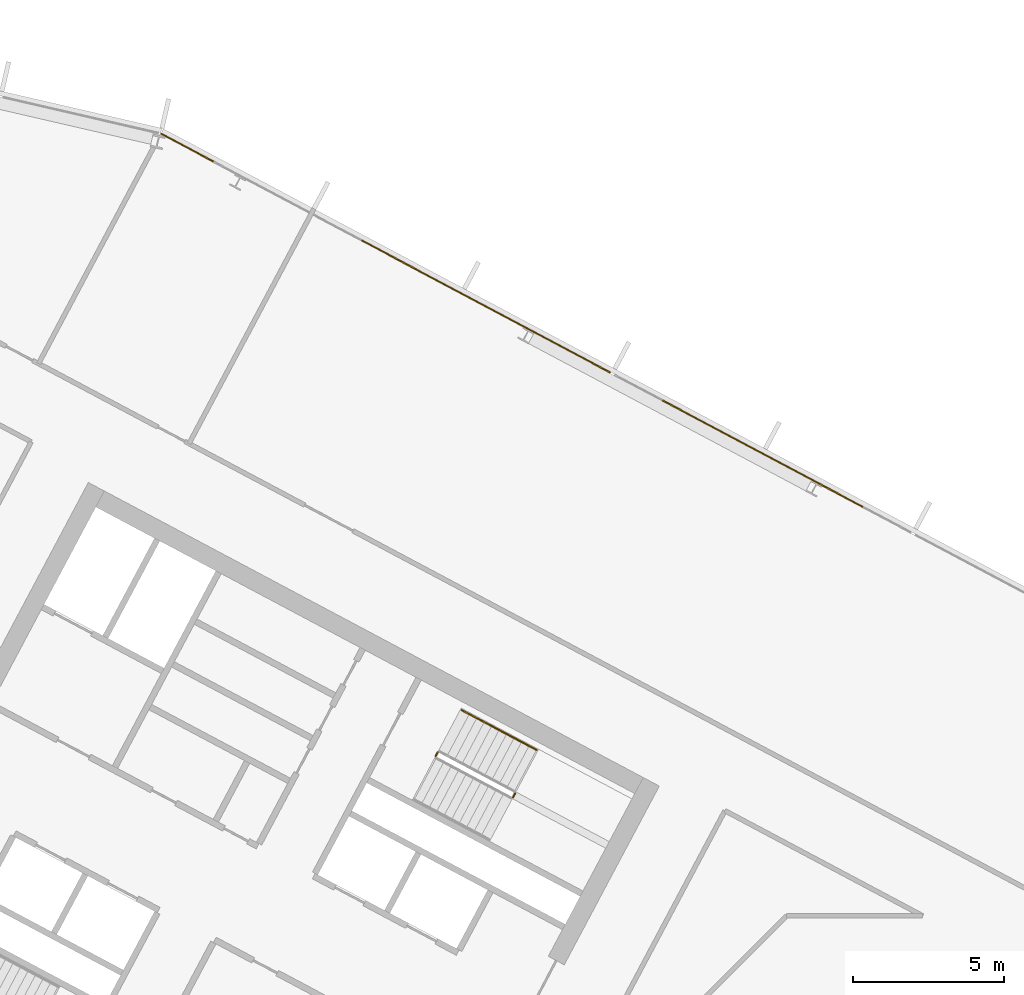
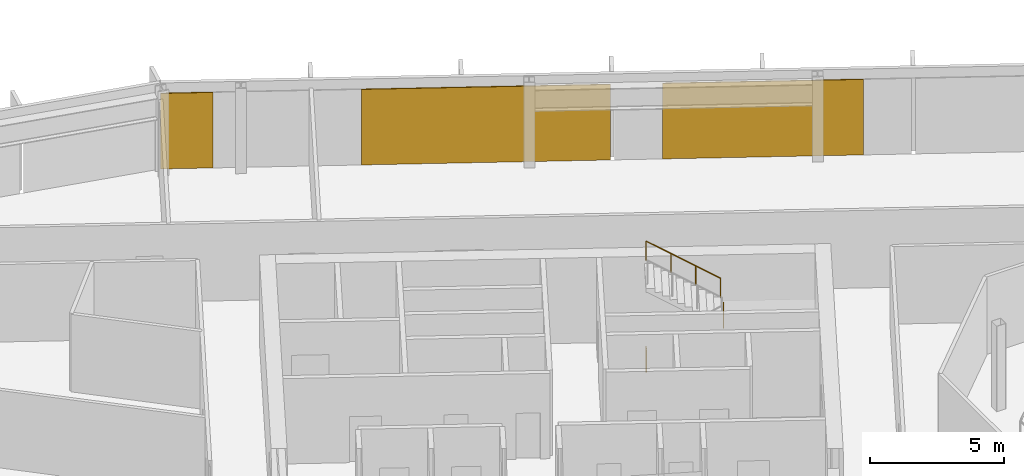
# One storey, part 26 of 31: 3 coverings, 3 railings, 1 element without a shape of its own.
"""IFC4 building model written with IfcOpenShell, lengths in metres."""

from ifc_helpers import new_model, si_unit, direction, frame, origin, origin_2d, place, context, subcontext, project, spatial, polyline, rectangle, outline, extrude, material, layer, layer_set, type_object, element, aggregate, save


model = new_model("IFC4")

# Units and contexts
model_context = context("Model", 3, precision=1e-05, world=origin(), true_north=direction((0.0, 1.0)))
body_context = subcontext(model_context, "Body", "Model", "MODEL_VIEW")
ifc_project = project(units=[si_unit("LENGTHUNIT", "METRE"), si_unit("AREAUNIT", "SQUARE_METRE"), si_unit("VOLUMEUNIT", "CUBIC_METRE"), si_unit("PLANEANGLEUNIT", "RADIAN"), si_unit("MASSUNIT", "GRAM", prefix="KILO")], contexts=[model_context])

# Site, building, storey
site_placement = place(None, origin())
site = spatial("IfcSite", under=ifc_project, at=site_placement, CompositionType="ELEMENT")
building_placement = place(site_placement, origin())
building = spatial("IfcBuilding", under=site, at=building_placement, Name="Cormorant Relay Tower", CompositionType="ELEMENT")
storey_placement = place(building_placement, frame((0.0, 0.0, 189.60009765625)))
storey = spatial("IfcBuildingStorey", under=building, at=storey_placement, Name="L40", CompositionType="ELEMENT", Elevation=189.60009765625)

# Curtain wall, coverings
ifc_material_1 = material(Name="Aluminium 6063-T6 anodised bronze", Category="aluminium")
ifc_layer_1 = layer(ifc_material_1, 0.199951171875)
ifc_layer_set_1 = layer_set([ifc_layer_1], Name="CW1 unitised bronze curtain wall with vertical fins")
curtain_wall_type = type_object("IfcCurtainWallType", Name="CW1 unitised bronze curtain wall with vertical fins", PredefinedType="NOTDEFINED", material=ifc_layer_set_1)
curtain_wall_placement = place(storey_placement, origin())
curtain_wall = element("IfcCurtainWall", 1, at=curtain_wall_placement, inside=storey, type_object=curtain_wall_type, Name="CW1 curtain wall 9", PredefinedType="NOTDEFINED")
ifc_material_2 = material(Name="Pale bronze anodised aluminium insulated panel", Category="aluminium")
ifc_layer_2 = layer(ifc_material_2, 0.0400390625)
ifc_layer_set_2 = layer_set([ifc_layer_2], Name="CW1 pale bronze insulated panel 40")
covering_type = type_object("IfcCoveringType", Name="CW1 pale bronze insulated panel 40", PredefinedType="CLADDING", material=ifc_layer_set_2)
covering_1_placement = place(storey_placement, frame((-9.948486328125, 29.09619140625, 0.0), z_axis=(0.0, 0.0, 1.0), x_axis=(-0.882947592859, 0.469471562786, 0.0)))
covering_1 = element("IfcCovering", 2, at=covering_1_placement, type_object=covering_type, Name="CW1 panel S02", PredefinedType="CLADDING", context=body_context, shape_type="SweptSolid", body=[
    extrude(rectangle(XDim=7.528076171875, YDim=0.0400390625, at=origin_2d()), origin(), (0.0, 0.0, 1.0), 3.449951171875),
])
covering_2_placement = place(storey_placement, frame((-19.11181640625, 33.968505859375, 0.0), z_axis=(0.0, 0.0, 1.0), x_axis=(-0.882947592859, 0.469471562786, 0.0)))
covering_2 = element("IfcCovering", 3, at=covering_2_placement, type_object=covering_type, Name="CW1 panel S04", PredefinedType="CLADDING", context=body_context, shape_type="SweptSolid", body=[
    extrude(rectangle(XDim=9.327880859375, YDim=0.0400390625, at=origin_2d()), origin(), (0.0, 0.0, 1.0), 3.449951171875),
])
covering_3_placement = place(storey_placement, frame((-28.997314453125, 39.224853515625, 0.0), z_axis=(0.0, 0.0, 1.0), x_axis=(-0.882947592859, 0.469471562786, 0.0)))
covering_3 = element("IfcCovering", 4, at=covering_3_placement, type_object=covering_type, Name="CW1 panel S07", PredefinedType="CLADDING", context=body_context, shape_type="SweptSolid", body=[
    extrude(rectangle(XDim=1.964111328125, YDim=0.0400390625, at=origin_2d()), origin(), (0.0, 0.0, 1.0), 3.449951171875),
])
aggregate(curtain_wall, [covering_1, covering_2, covering_3])

# Railings
ifc_material_3 = material(Name="Steel ASTM A572 Grade 50 (Fy 345 MPa)", Category="steel")
railing_type_1 = type_object("IfcRailingType", Name="Stair guard 1100", PredefinedType="GUARDRAIL", material=ifc_material_3)
railing_1_placement = place(storey_placement, frame((-18.210693359375, 17.72412109375, 1.949951171875)))
element("IfcRailing", 5, at=railing_1_placement, inside=storey, type_object=railing_type_1, Name="L40 A1 stair guard 2", PredefinedType="GUARDRAIL", context=body_context, shape_type="SweptSolid", body=[
    extrude(outline(polyline([(0.022216796875, 0.00927734375), (0.00927734375, 0.022216796875), (-0.00927734375, 0.022216796875), (-0.022216796875, 0.00927734375), (-0.022216796875, -0.00927734375), (-0.00927734375, -0.022216796875), (0.00927734375, -0.022216796875), (0.022216796875, -0.00927734375), (0.022216796875, 0.00927734375)])), frame((0.0, 0.0, 1.076171875), z_axis=(0.470503732759, 0.882398003998, 0.0), x_axis=(-0.882398003998, 0.470503732759, 0.0)), (0.0, 0.0, 1.0), 0.14990234375),
    extrude(outline(polyline([(0.019287109375, 0.008056640625), (0.008056640625, 0.019287109375), (-0.008056640625, 0.019287109375), (-0.019287109375, 0.008056640625), (-0.019287109375, -0.008056640625), (-0.008056640625, -0.019287109375), (0.008056640625, -0.019287109375), (0.019287109375, -0.008056640625), (0.019287109375, 0.008056640625)])), origin(), (0.0, 0.0, 1.0), 1.052001953125),
    extrude(outline(polyline([(0.019287109375, 0.008056640625), (0.008056640625, 0.019287109375), (-0.008056640625, 0.019287109375), (-0.019287109375, 0.008056640625), (-0.019287109375, -0.008056640625), (-0.008056640625, -0.019287109375), (0.008056640625, -0.019287109375), (0.019287109375, -0.008056640625), (0.019287109375, 0.008056640625)])), frame((0.070556640625, 0.13232421875, 0.0)), (0.0, 0.0, 1.0), 1.052001953125),
])
railing_2_placement = place(storey_placement, frame((-20.771240234375, 19.08544921875, 0.0)))
element("IfcRailing", 6, at=railing_2_placement, inside=storey, type_object=railing_type_1, Name="L40 A1 stair guard 4", PredefinedType="GUARDRAIL", context=body_context, shape_type="SweptSolid", body=[
    extrude(outline(polyline([(0.022216796875, 0.00927734375), (0.00927734375, 0.022216796875), (-0.00927734375, 0.022216796875), (-0.022216796875, 0.00927734375), (-0.022216796875, -0.00927734375), (-0.00927734375, -0.022216796875), (0.00927734375, -0.022216796875), (0.022216796875, -0.00927734375), (0.022216796875, 0.00927734375)])), frame((0.0, 0.0, 1.076171875), z_axis=(0.469828648786, 0.882757634224, 0.0), x_axis=(-0.882757634224, 0.469828648786, 0.0)), (0.0, 0.0, 1.0), 0.150146484375),
    extrude(outline(polyline([(0.019287109375, 0.008056640625), (0.008056640625, 0.019287109375), (-0.008056640625, 0.019287109375), (-0.019287109375, 0.008056640625), (-0.019287109375, -0.008056640625), (-0.008056640625, -0.019287109375), (0.008056640625, -0.019287109375), (0.019287109375, -0.008056640625), (0.019287109375, 0.008056640625)])), origin(), (0.0, 0.0, 1.0), 1.052001953125),
    extrude(outline(polyline([(0.019287109375, 0.008056640625), (0.008056640625, 0.019287109375), (-0.008056640625, 0.019287109375), (-0.019287109375, 0.008056640625), (-0.019287109375, -0.008056640625), (-0.008056640625, -0.019287109375), (0.008056640625, -0.019287109375), (0.019287109375, -0.008056640625), (0.019287109375, 0.008056640625)])), frame((0.070556640625, 0.132568359375, 0.0)), (0.0, 0.0, 1.0), 1.052001953125),
])
ifc_material_4 = material(Name="Steel ASTM A572 Grade 50 (Fy 345 MPa)", Category="steel")
railing_type_2 = type_object("IfcRailingType", Name="Stair handrail 900", PredefinedType="HANDRAIL", material=ifc_material_4)
railing_3_placement = place(storey_placement, frame((-17.433349609375, 19.292724609375, 2.127197265625)))
element("IfcRailing", 7, at=railing_3_placement, inside=storey, type_object=railing_type_2, Name="L40 A1 stair handrail 2", PredefinedType="HANDRAIL", context=body_context, shape_type="SweptSolid", body=[
    extrude(outline(polyline([(0.022216796875, 0.00927734375), (0.00927734375, 0.022216796875), (-0.00927734375, 0.022216796875), (-0.022216796875, 0.00927734375), (-0.022216796875, -0.00927734375), (-0.00927734375, -0.022216796875), (0.00927734375, -0.022216796875), (0.022216796875, -0.00927734375), (0.022216796875, 0.00927734375)])), frame((0.0, 0.0, 0.8759765625), z_axis=(-0.746001213114, 0.396649272309, 0.534931345884), x_axis=(-0.469465464807, -0.882950835185, 0.0)), (0.0, 0.0, 1.0), 3.31396484375),
    extrude(outline(polyline([(0.019287109375, 0.008056640625), (0.008056640625, 0.019287109375), (-0.008056640625, 0.019287109375), (-0.019287109375, 0.008056640625), (-0.019287109375, -0.008056640625), (-0.008056640625, -0.019287109375), (0.008056640625, -0.019287109375), (0.019287109375, -0.008056640625), (0.019287109375, 0.008056640625)])), origin(), (0.0, 0.0, 1.0), 0.851806640625),
    extrude(outline(polyline([(0.019287109375, 0.008056640625), (0.008056640625, 0.019287109375), (-0.008056640625, 0.019287109375), (-0.019287109375, 0.008056640625), (-0.019287109375, -0.008056640625), (-0.008056640625, -0.019287109375), (0.008056640625, -0.019287109375), (0.019287109375, -0.008056640625), (0.019287109375, 0.008056640625)])), frame((-0.823974609375, 0.438232421875, 0.5908203125)), (0.0, 0.0, 1.0), 0.851806640625),
    extrude(outline(polyline([(0.019287109375, 0.008056640625), (0.008056640625, 0.019287109375), (-0.008056640625, 0.019287109375), (-0.019287109375, 0.008056640625), (-0.019287109375, -0.008056640625), (-0.008056640625, -0.019287109375), (0.008056640625, -0.019287109375), (0.019287109375, -0.008056640625), (0.019287109375, 0.008056640625)])), frame((-1.648193359375, 0.876220703125, 1.181884765625)), (0.0, 0.0, 1.0), 0.851806640625),
    extrude(outline(polyline([(0.019287109375, 0.008056640625), (0.008056640625, 0.019287109375), (-0.008056640625, 0.019287109375), (-0.019287109375, 0.008056640625), (-0.019287109375, -0.008056640625), (-0.008056640625, -0.019287109375), (0.008056640625, -0.019287109375), (0.019287109375, -0.008056640625), (0.019287109375, 0.008056640625)])), frame((-2.47216796875, 1.314453125, 1.772705078125)), (0.0, 0.0, 1.0), 0.851806640625),
])

save(model, "model.ifc")
